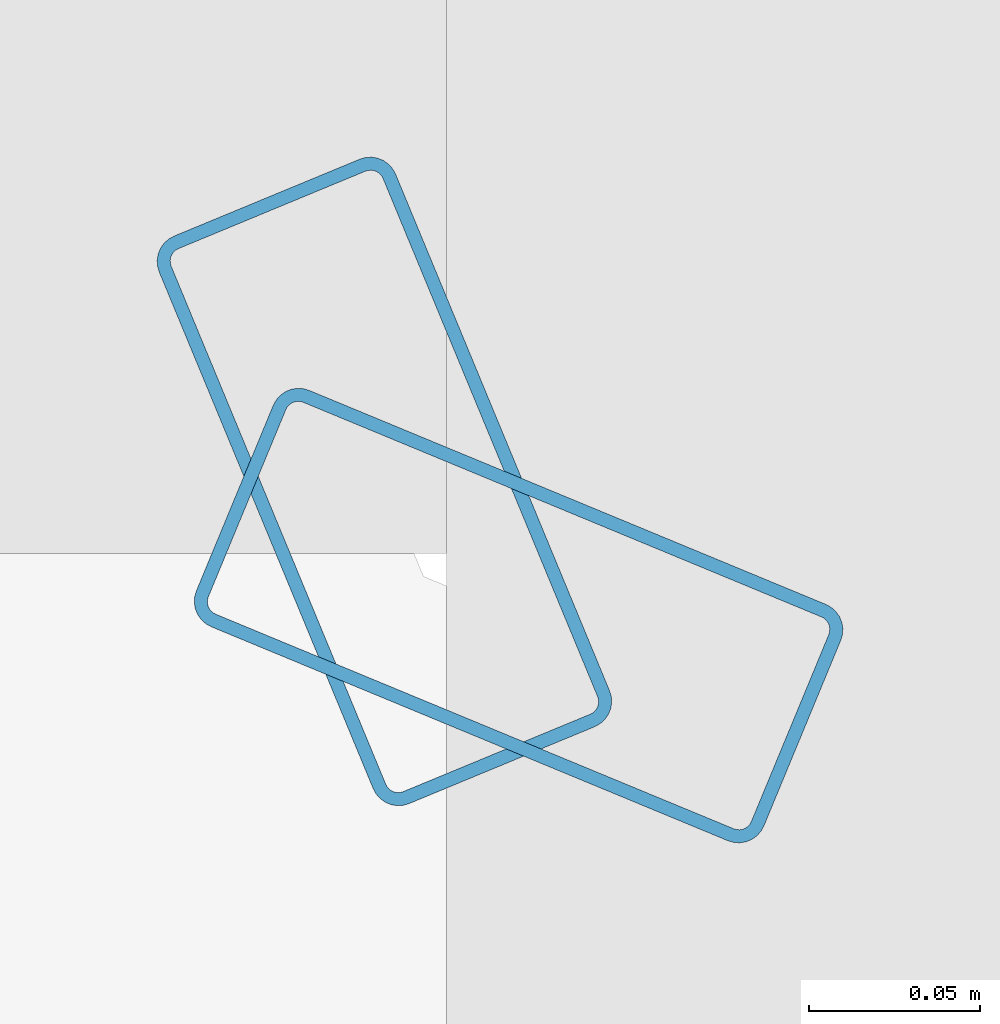
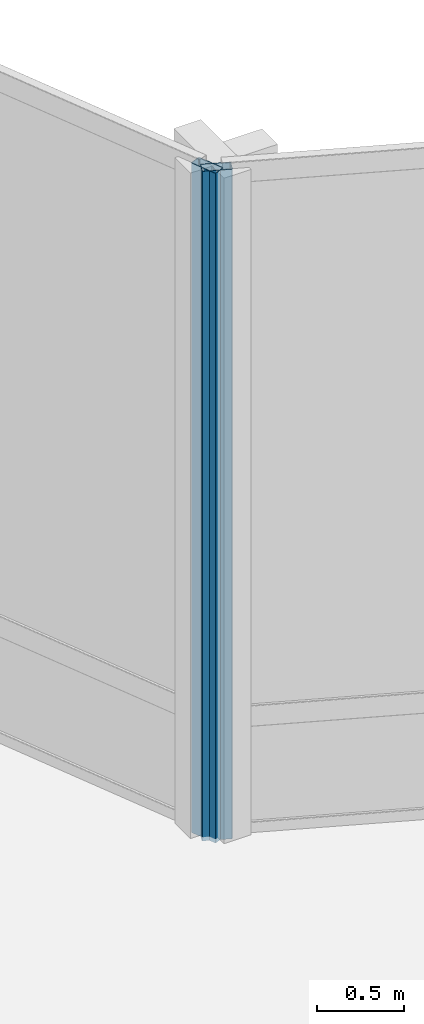
# One storey, part 9 of 39: 2 members, 2 elements without a shape of their own.
"""IFC4 building model written with IfcOpenShell, lengths in metres."""

from ifc_helpers import new_model, si_unit, direction, frame, origin, origin_2d, place, context, subcontext, project, spatial, hollow_rectangle, extrude, material, layer, layer_set, material_profile, profile_set, type_object, element, aggregate, save


model = new_model("IFC4")

# Units and contexts
model_context = context("Model", 3, precision=1e-05, world=origin(), true_north=direction((0.0, 1.0)))
body_context = subcontext(model_context, "Body", "Model", "MODEL_VIEW")
ifc_project = project(units=[si_unit("LENGTHUNIT", "METRE"), si_unit("AREAUNIT", "SQUARE_METRE"), si_unit("VOLUMEUNIT", "CUBIC_METRE"), si_unit("PLANEANGLEUNIT", "RADIAN"), si_unit("MASSUNIT", "GRAM", prefix="KILO")], contexts=[model_context])

# Site, building, storey
site_placement = place(None, origin())
site = spatial("IfcSite", under=ifc_project, at=site_placement, CompositionType="ELEMENT")
building_placement = place(site_placement, origin())
building = spatial("IfcBuilding", under=site, at=building_placement, Name="Solvaryn Broadcast Tower", CompositionType="ELEMENT")
storey_placement = place(building_placement, frame((0.0, 0.0, 84.10009765625)))
storey = spatial("IfcBuildingStorey", under=building, at=storey_placement, Name="L20", CompositionType="ELEMENT", Elevation=84.10009765625)

# Curtain wall, member
ifc_material_1 = material(Name="Aluminium and Terracotta Unitised Curtain Wall", Category="masonry")
ifc_layer = layer(ifc_material_1, 0.25)
ifc_layer_set = layer_set([ifc_layer], Name="CW-SYS4-SKYGARDEN")
curtain_wall_type = type_object("IfcCurtainWallType", Name="CW-SYS4-SKYGARDEN", PredefinedType="NOTDEFINED", material=ifc_layer_set)
curtain_wall_1_placement = place(storey_placement, origin())
curtain_wall_1 = element("IfcCurtainWall", 1, at=curtain_wall_1_placement, inside=storey, type_object=curtain_wall_type, Name="L20 Curtain Wall CN1", PredefinedType="NOTDEFINED")
ifc_material_2 = material(Name="Anodised Aluminium 6063-T6", Category="aluminium")
ifc_material_profile = material_profile(ifc_material_2, hollow_rectangle(XDim=0.074951171875, YDim=0.179931640625, WallThickness=0.00390625, InnerFilletRadius=0.00390625, OuterFilletRadius=0.008056640625, at=origin_2d()))
ifc_profile_set = profile_set([ifc_material_profile], Name="Anodised Aluminium 6063-T6")
member_type = type_object("IfcMemberType", Name="CW-MUL-180", PredefinedType="MULLION", material=ifc_profile_set)
member_1_placement = place(storey_placement, frame((30.395751953125, 30.3564453125, 0.0), z_axis=(0.0, 0.0, 1.0), x_axis=(-0.382646127145, -0.923894983957, 0.0)))
member_1 = element("IfcMember", 2, at=member_1_placement, type_object=member_type, Name="CWS4 mullion 2", PredefinedType="MULLION", context=body_context, shape_type="SweptSolid", body=[
    extrude(hollow_rectangle(XDim=0.074951171875, YDim=0.179931640625, WallThickness=0.00390625, InnerFilletRadius=0.00390625, OuterFilletRadius=0.008056640625, at=origin_2d()), origin(), (0.0, 0.0, 1.0), 4.719970703125),
])
aggregate(curtain_wall_1, [member_1])

curtain_wall_2_placement = place(storey_placement, origin())
curtain_wall_2 = element("IfcCurtainWall", 3, at=curtain_wall_2_placement, inside=storey, type_object=curtain_wall_type, Name="L20 Curtain Wall CN2", PredefinedType="NOTDEFINED")
member_2_placement = place(storey_placement, frame((30.3564453125, 30.395751953125, 0.0), z_axis=(0.0, 0.0, 1.0), x_axis=(-0.923894983957, -0.382646127145, 0.0)))
member_2 = element("IfcMember", 4, at=member_2_placement, type_object=member_type, Name="CWS4 mullion 1", PredefinedType="MULLION", context=body_context, shape_type="SweptSolid", body=[
    extrude(hollow_rectangle(XDim=0.074951171875, YDim=0.179931640625, WallThickness=0.00390625, InnerFilletRadius=0.00390625, OuterFilletRadius=0.008056640625, at=origin_2d()), origin(), (0.0, 0.0, 1.0), 4.719970703125),
])
aggregate(curtain_wall_2, [member_2])

save(model, "model.ifc")
